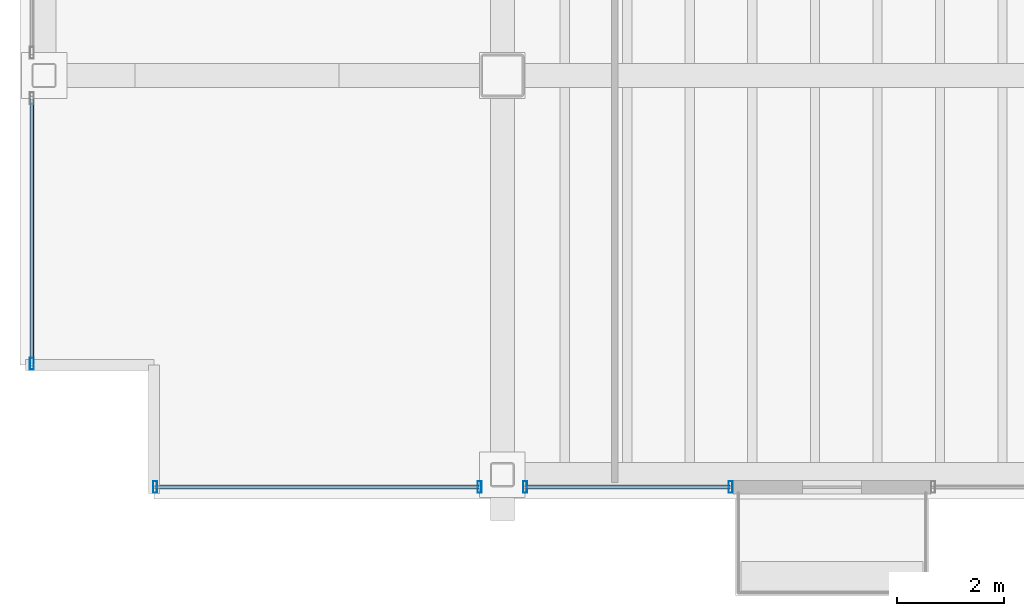
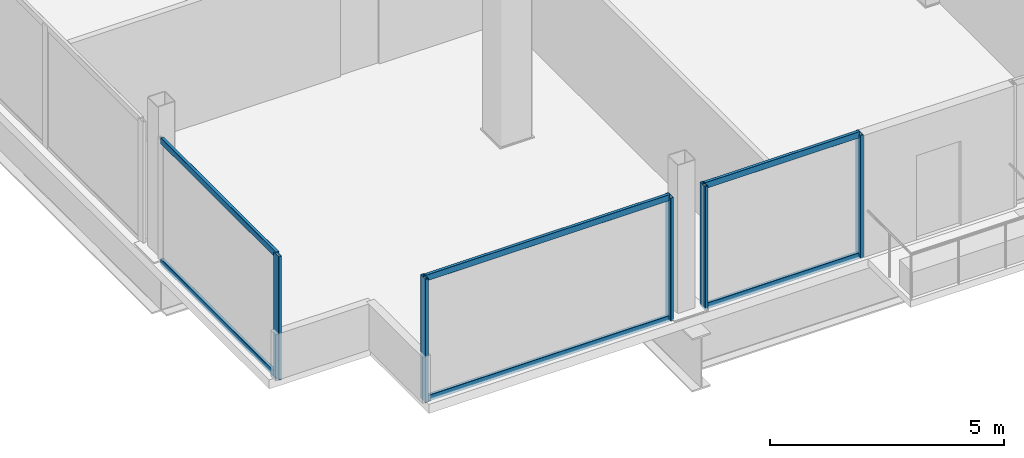
# One storey, part 2 of 22: 11 members, 3 elements without a shape of their own.
"""IFC4 building model written with IfcOpenShell, lengths in metres."""

import ifcopenshell
import ifcopenshell.guid

model = None  # the IFC model being written
_history = None  # IfcOwnerHistory: only IFC2X3 demands one
_inside = {}  # id of a spatial element -> (the spatial element, [elements in it])
_under = {}  # id of a project, library or spatial element -> (it, [spatial elements below it])
_declared = {}  # id of a project -> (the project, [libraries it declares])
_typed = {}  # id of a type object -> (the type object, [elements of that type])
_made_of = {}  # id of a material, layer set ... -> (it, [elements and type objects made of it])


def new_model(schema):
    """Start an empty IFC model of exactly this schema.

    Asked for "IFC4X3", IfcOpenShell would pick the latest addendum, in which some entities
    have other attributes; the version numbers below select the first issue.
    IFC2X3 requires an IfcOwnerHistory on every rooted entity: one is made here for all.
    """
    global model, _history
    if schema == "IFC4X3":
        model = ifcopenshell.file(schema_version=(4, 3, 0, 0))
    else:
        model = ifcopenshell.file(schema=schema)
    _inside.clear()
    _under.clear()
    _declared.clear()
    _typed.clear()
    _made_of.clear()
    _history = None
    if model.schema == "IFC2X3":
        org = make("IfcOrganization", Name="unknown")
        user = make(
            "IfcPersonAndOrganization",
            ThePerson=make("IfcPerson", FamilyName="unknown"),
            TheOrganization=org,
        )
        app = make(
            "IfcApplication",
            ApplicationDeveloper=org,
            Version="unknown",
            ApplicationFullName="unknown",
            ApplicationIdentifier="unknown",
        )
        _history = make(
            "IfcOwnerHistory",
            OwningUser=user,
            OwningApplication=app,
            ChangeAction="ADDED",
            CreationDate=0,
        )
    return model


def make(cls, **values):
    """One entity of the class cls with the attributes given. An attribute that is None is left unset."""
    return model.create_entity(
        cls, **{name: value for name, value in values.items() if value is not None}
    )


def rooted(cls, **values):
    """An entity with a GlobalId (a new one), such as an element, a storey or a relation."""
    return make(cls, GlobalId=ifcopenshell.guid.new(), OwnerHistory=_history, **values)


def si_unit(unit_type, name, prefix=None):
    """IfcSIUnit, for example si_unit("LENGTHUNIT", "METRE", prefix="MILLI")."""
    return make("IfcSIUnit", UnitType=unit_type, Prefix=prefix, Name=name)


def assignment(units):
    """IfcUnitAssignment: the units of a project."""
    return None if units is None else make("IfcUnitAssignment", Units=units)


def point(xyz):
    """IfcCartesianPoint."""
    return None if xyz is None else make("IfcCartesianPoint", Coordinates=xyz)


def direction(xyz):
    """IfcDirection."""
    return None if xyz is None else make("IfcDirection", DirectionRatios=xyz)


def frame(location, z_axis=None, x_axis=None):
    """IfcAxis2Placement3D, a coordinate frame: its origin and axes. An axis left out is left unset."""
    return make(
        "IfcAxis2Placement3D",
        Location=point(location),
        Axis=direction(z_axis),
        RefDirection=direction(x_axis),
    )


def frame_2d(location, x_axis=None):
    """IfcAxis2Placement2D, a coordinate frame in the plane: its origin and x axis."""
    return make(
        "IfcAxis2Placement2D", Location=point(location), RefDirection=direction(x_axis)
    )


def origin():
    """The frame at (0, 0, 0) with its axes left unset."""
    return frame((0.0, 0.0, 0.0))


def origin_2d():
    """The frame at (0, 0) in the plane with its x axis left unset."""
    return frame_2d((0.0, 0.0))


def place(relative_to, where):
    """IfcLocalPlacement: puts the frame where relative to a parent placement (None: the world)."""
    return make(
        "IfcLocalPlacement", PlacementRelTo=relative_to, RelativePlacement=where
    )


def context(
    kind, dimensions, precision=None, world=None, true_north=None, identifier=None
):
    """IfcGeometricRepresentationContext, for example the 3D "Model" context."""
    return make(
        "IfcGeometricRepresentationContext",
        ContextIdentifier=identifier,
        ContextType=kind,
        CoordinateSpaceDimension=dimensions,
        Precision=precision,
        WorldCoordinateSystem=world,
        TrueNorth=true_north,
    )


def subcontext(parent, identifier, kind, view, scale=None):
    """IfcGeometricRepresentationSubContext, for example "Body" below "Model"."""
    return make(
        "IfcGeometricRepresentationSubContext",
        ContextIdentifier=identifier,
        ContextType=kind,
        ParentContext=parent,
        TargetScale=scale,
        TargetView=view,
    )


def project(units=None, contexts=None):
    """IfcProject with its units and contexts."""
    return rooted(
        "IfcProject",
        Name="project",
        RepresentationContexts=contexts,
        UnitsInContext=assignment(units),
    )


def spatial(cls, under=None, at=None, **own):
    """A site, building, storey or space (cls), placed at a placement, below another one or the project."""
    s = rooted(cls, ObjectPlacement=at, **own)
    if under is not None:
        _under.setdefault(under.id(), (under, []))[1].append(s)
    return s


def profile(cls, at=None, kind="AREA", **sizes):
    """A parametric profile (cls). Its sizes go by their IFC names, for example OverallWidth=200.0."""
    return make(cls, ProfileType=kind, Position=at, **sizes)


def hollow_rectangle(**sizes):
    """IfcRectangleHollowProfileDef."""
    return profile("IfcRectangleHollowProfileDef", **sizes)


def extrude(swept, where, along, depth):
    """IfcExtrudedAreaSolid: the profile swept, set in the frame where, extruded along a direction by depth."""
    return make(
        "IfcExtrudedAreaSolid",
        SweptArea=swept,
        Position=where,
        ExtrudedDirection=direction(along),
        Depth=depth,
    )


def shape(context_of_items, identifier, shape_type, items):
    """IfcShapeRepresentation: the items that make up one representation, for example the "Body"."""
    return make(
        "IfcShapeRepresentation",
        ContextOfItems=context_of_items,
        RepresentationIdentifier=identifier,
        RepresentationType=shape_type,
        Items=items,
    )


def material(Name=None, Category=None):
    """IfcMaterial."""
    return make("IfcMaterial", Name=Name, Category=Category)


def material_profile(
    of_material, cross_section, Name=None, Category=None, Priority=None
):
    """IfcMaterialProfile: a cross section and its material."""
    return make(
        "IfcMaterialProfile",
        Name=Name,
        Material=of_material,
        Profile=cross_section,
        Priority=Priority,
        Category=Category,
    )


def profile_set(profiles, Name=None, composite=None):
    """IfcMaterialProfileSet."""
    return make(
        "IfcMaterialProfileSet",
        Name=Name,
        MaterialProfiles=profiles,
        CompositeProfile=composite,
    )


def made_of(thing, what):
    """Note that an element or type object is made of a material, layer set ...; save() writes the relation."""
    if what is not None:
        _made_of.setdefault(what.id(), (what, []))[1].append(thing)
    return thing


def type_object(cls, material=None, **own):
    """A type object (cls), such as IfcWallType, which elements share."""
    return made_of(rooted(cls, **own), material)


def element(
    cls,
    number,
    at=None,
    inside=None,
    cuts=None,
    type_object=None,
    material=None,
    context=None,
    identifier="Body",
    shape_type=None,
    held_by="IfcProductDefinitionShape",
    body=None,
    shapes=None,
    **own,
):
    """One element of the class cls, such as IfcWall. Its Tag is "e" and its number.

    at: its placement. inside: the storey or other place that contains it. cuts: it is an
    opening in that element (IfcRelVoidsElement). A single representation is given by context,
    identifier, shape_type and body (its items); several are given by shapes. held_by: the class
    of the entity that holds the representations. save() writes the other relations.
    """
    e = rooted(cls, Tag="e%d" % number, ObjectPlacement=at, **own)
    if body is not None:
        shapes = [shape(context, identifier, shape_type, body)]
    if shapes is not None:
        e.Representation = make(held_by, Representations=shapes)
    if inside is not None:
        _inside.setdefault(inside.id(), (inside, []))[1].append(e)
    if cuts is not None:
        rooted(
            "IfcRelVoidsElement", RelatingBuildingElement=cuts, RelatedOpeningElement=e
        )
    if type_object is not None:
        _typed.setdefault(type_object.id(), (type_object, []))[1].append(e)
    return made_of(e, material)


def aggregate(whole, parts):
    """IfcRelAggregates: a whole, such as a stair, and the parts it consists of."""
    return rooted("IfcRelAggregates", RelatingObject=whole, RelatedObjects=parts)


def save(model, path):
    """Write the relations noted so far, then the file.

    IfcRelAggregates (storeys below a building ...), IfcRelContainedInSpatialStructure (elements
    in a storey), IfcRelDefinesByType, IfcRelAssociatesMaterial and IfcRelDeclares: one each for
    every whole, place, type object, material and project.
    """
    for whole, parts in _under.values():
        aggregate(whole, parts)
    for where, things in _inside.values():
        rooted(
            "IfcRelContainedInSpatialStructure",
            RelatedElements=things,
            RelatingStructure=where,
        )
    for kind, things in _typed.values():
        rooted("IfcRelDefinesByType", RelatedObjects=things, RelatingType=kind)
    for what, things in _made_of.values():
        rooted("IfcRelAssociatesMaterial", RelatedObjects=things, RelatingMaterial=what)
    for by, libraries in _declared.values():
        rooted("IfcRelDeclares", RelatingContext=by, RelatedDefinitions=libraries)
    model.write(path)


model = new_model("IFC4")

# Units and contexts
model_context = context("Model", 3, precision=1e-05, world=origin(), true_north=direction((0.0, 1.0)))
body_context = subcontext(model_context, "Body", "Model", "MODEL_VIEW")
ifc_project = project(units=[si_unit("LENGTHUNIT", "METRE"), si_unit("AREAUNIT", "SQUARE_METRE"), si_unit("VOLUMEUNIT", "CUBIC_METRE"), si_unit("PLANEANGLEUNIT", "RADIAN"), si_unit("MASSUNIT", "GRAM", prefix="KILO")], contexts=[model_context])

# Site, building, storey
site_placement = place(None, origin())
site = spatial("IfcSite", under=ifc_project, at=site_placement, CompositionType="ELEMENT")
building_placement = place(site_placement, origin())
building = spatial("IfcBuilding", under=site, at=building_placement, Name="Noeulbin Bourse Tower", CompositionType="ELEMENT")
storey_placement = place(building_placement, frame((0.0, 0.0, 230.60009765625)))
storey = spatial("IfcBuildingStorey", under=building, at=storey_placement, Name="L57", CompositionType="ELEMENT", Elevation=230.60009765625)

# Curtain wall, members
ifc_material_1 = material(Name="High-Selectivity Low-Iron Glazing", Category="glass")
curtain_wall_type = type_object("IfcCurtainWallType", Name="CW-SYS-4", PredefinedType="NOTDEFINED", material=ifc_material_1)
curtain_wall_1_placement = place(storey_placement, origin())
curtain_wall_1 = element("IfcCurtainWall", 1, at=curtain_wall_1_placement, inside=storey, type_object=curtain_wall_type, Name="Unitised Curtain Wall CW-L57-S1-S1", PredefinedType="NOTDEFINED")
ifc_material_2 = material(Name="Anodised Aluminium 6063-T6", Category="aluminium")
ifc_material_profile_1 = material_profile(ifc_material_2, hollow_rectangle(XDim=0.074951171875, YDim=0.219970703125, WallThickness=0.0048828125, InnerFilletRadius=0.00244140625, OuterFilletRadius=0.0048828125, at=origin_2d()), Name="ALU-MULL-75x220x5", Category="LoadBearing")
ifc_profile_set_1 = profile_set([ifc_material_profile_1], Name="Anodised Aluminium 6063-T6")
member_type_1 = type_object("IfcMemberType", Name="CW-SYS-4-MUL", PredefinedType="MULLION", material=ifc_profile_set_1)
member_1_placement = place(storey_placement, frame((7.02001953125, 12.320068359375, -0.02001953125), z_axis=(0.0, 0.0, 1.0), x_axis=(1.0, 0.0, 0.0)))
member_1 = element("IfcMember", 2, at=member_1_placement, type_object=member_type_1, Name="Curtain Wall Mullion CW-L57-S1-S1-M00", PredefinedType="MULLION", context=body_context, shape_type="SweptSolid", body=[
    extrude(hollow_rectangle(XDim=0.074951171875, YDim=0.219970703125, WallThickness=0.0048828125, InnerFilletRadius=0.00244140625, OuterFilletRadius=0.0048828125, at=origin_2d()), origin(), (0.0, 0.0, 1.0), 3.219970703125),
])
member_2_placement = place(storey_placement, frame((13.074951171875, 12.320068359375, -0.02001953125), z_axis=(0.0, 0.0, 1.0), x_axis=(1.0, 0.0, 0.0)))
member_2 = element("IfcMember", 3, at=member_2_placement, type_object=member_type_1, Name="Curtain Wall Mullion CW-L57-S1-S1-M01", PredefinedType="MULLION", context=body_context, shape_type="SweptSolid", body=[
    extrude(hollow_rectangle(XDim=0.074951171875, YDim=0.219970703125, WallThickness=0.0048828125, InnerFilletRadius=0.00244140625, OuterFilletRadius=0.0048828125, at=origin_2d()), origin(), (0.0, 0.0, 1.0), 3.219970703125),
])

curtain_wall_2_placement = place(storey_placement, origin())
curtain_wall_2 = element("IfcCurtainWall", 4, at=curtain_wall_2_placement, inside=storey, type_object=curtain_wall_type, Name="Unitised Curtain Wall CW-L57-S1-S2", PredefinedType="NOTDEFINED")
member_3_placement = place(storey_placement, frame((13.925048828125, 12.320068359375, -0.02001953125), z_axis=(0.0, 0.0, 1.0), x_axis=(1.0, 0.0, 0.0)))
member_3 = element("IfcMember", 5, at=member_3_placement, type_object=member_type_1, Name="Curtain Wall Mullion CW-L57-S1-S2-M00", PredefinedType="MULLION", context=body_context, shape_type="SweptSolid", body=[
    extrude(hollow_rectangle(XDim=0.074951171875, YDim=0.219970703125, WallThickness=0.0048828125, InnerFilletRadius=0.00244140625, OuterFilletRadius=0.0048828125, at=origin_2d()), origin(), (0.0, 0.0, 1.0), 3.219970703125),
])
member_4_placement = place(storey_placement, frame((17.760009765625, 12.320068359375, -0.02001953125), z_axis=(0.0, 0.0, 1.0), x_axis=(1.0, 0.0, 0.0)))
member_4 = element("IfcMember", 6, at=member_4_placement, type_object=member_type_1, Name="Curtain Wall Mullion CW-L57-S1-S2-M01", PredefinedType="MULLION", context=body_context, shape_type="SweptSolid", body=[
    extrude(hollow_rectangle(XDim=0.074951171875, YDim=0.219970703125, WallThickness=0.0048828125, InnerFilletRadius=0.00244140625, OuterFilletRadius=0.0048828125, at=origin_2d()), origin(), (0.0, 0.0, 1.0), 3.219970703125),
])

# Curtain wall, member
curtain_wall_3_placement = place(storey_placement, origin())
curtain_wall_3 = element("IfcCurtainWall", 7, at=curtain_wall_3_placement, inside=storey, type_object=curtain_wall_type, Name="Unitised Curtain Wall CW-L57-W-S1", PredefinedType="NOTDEFINED")
member_5_placement = place(storey_placement, frame((4.719970703125, 14.6201171875, -0.02001953125), z_axis=(0.0, 0.0, 1.0), x_axis=(1.0, 0.0, 0.0)))
member_5 = element("IfcMember", 8, at=member_5_placement, type_object=member_type_1, Name="Curtain Wall Mullion CW-L57-W-S1-M00", PredefinedType="MULLION", context=body_context, shape_type="SweptSolid", body=[
    extrude(hollow_rectangle(XDim=0.074951171875, YDim=0.219970703125, WallThickness=0.0048828125, InnerFilletRadius=0.00244140625, OuterFilletRadius=0.0048828125, at=origin_2d()), origin(), (0.0, 0.0, 1.0), 3.219970703125),
])

# Member
ifc_material_profile_2 = material_profile(ifc_material_2, hollow_rectangle(XDim=0.074951171875, YDim=0.159912109375, WallThickness=0.0048828125, InnerFilletRadius=0.00244140625, OuterFilletRadius=0.0048828125, at=origin_2d()), Name="ALU-TRAN-75x160x5", Category="LoadBearing")
ifc_profile_set_2 = profile_set([ifc_material_profile_2], Name="Anodised Aluminium 6063-T6")
member_type_2 = type_object("IfcMemberType", Name="CW-SYS-4-TRN", PredefinedType="USERDEFINED", material=ifc_profile_set_2)
member_6_placement = place(storey_placement, frame((7.030029296875, 12.320068359375, 0.010009765625), z_axis=(1.0, 0.0, 0.0), x_axis=(0.0, 1.0, 0.0)))
member_6 = element("IfcMember", 9, at=member_6_placement, type_object=member_type_2, Name="Curtain Wall Transom CW-L57-S1-S1-T00", ObjectType="TRANSOM", PredefinedType="USERDEFINED", context=body_context, shape_type="SweptSolid", body=[
    extrude(hollow_rectangle(XDim=0.074951171875, YDim=0.159912109375, WallThickness=0.0048828125, InnerFilletRadius=0.00244140625, OuterFilletRadius=0.0048828125, at=origin_2d()), origin(), (0.0, 0.0, 1.0), 6.034912109375),
])

member_7_placement = place(storey_placement, frame((7.030029296875, 12.320068359375, 3.169921875), z_axis=(1.0, 0.0, 0.0), x_axis=(0.0, 1.0, 0.0)))
member_7 = element("IfcMember", 10, at=member_7_placement, type_object=member_type_2, Name="Curtain Wall Transom CW-L57-S1-S1-T01", ObjectType="TRANSOM", PredefinedType="USERDEFINED", context=body_context, shape_type="SweptSolid", body=[
    extrude(hollow_rectangle(XDim=0.074951171875, YDim=0.159912109375, WallThickness=0.0048828125, InnerFilletRadius=0.00244140625, OuterFilletRadius=0.0048828125, at=origin_2d()), origin(), (0.0, 0.0, 1.0), 6.034912109375),
])

aggregate(curtain_wall_1, [member_1, member_2, member_6, member_7])

member_8_placement = place(storey_placement, frame((13.93505859375, 12.320068359375, 0.010009765625), z_axis=(1.0, 0.0, 0.0), x_axis=(0.0, 1.0, 0.0)))
member_8 = element("IfcMember", 11, at=member_8_placement, type_object=member_type_2, Name="Curtain Wall Transom CW-L57-S1-S2-T00", ObjectType="TRANSOM", PredefinedType="USERDEFINED", context=body_context, shape_type="SweptSolid", body=[
    extrude(hollow_rectangle(XDim=0.074951171875, YDim=0.159912109375, WallThickness=0.0048828125, InnerFilletRadius=0.00244140625, OuterFilletRadius=0.0048828125, at=origin_2d()), origin(), (0.0, 0.0, 1.0), 3.81494140625),
])

member_9_placement = place(storey_placement, frame((13.93505859375, 12.320068359375, 3.169921875), z_axis=(1.0, 0.0, 0.0), x_axis=(0.0, 1.0, 0.0)))
member_9 = element("IfcMember", 12, at=member_9_placement, type_object=member_type_2, Name="Curtain Wall Transom CW-L57-S1-S2-T01", ObjectType="TRANSOM", PredefinedType="USERDEFINED", context=body_context, shape_type="SweptSolid", body=[
    extrude(hollow_rectangle(XDim=0.074951171875, YDim=0.159912109375, WallThickness=0.0048828125, InnerFilletRadius=0.00244140625, OuterFilletRadius=0.0048828125, at=origin_2d()), origin(), (0.0, 0.0, 1.0), 3.81494140625),
])

aggregate(curtain_wall_2, [member_3, member_4, member_8, member_9])

member_10_placement = place(storey_placement, frame((4.719970703125, 14.6298828125, 0.010009765625), z_axis=(0.0, 1.0, 0.0), x_axis=(-1.0, 0.0, 0.0)))
member_10 = element("IfcMember", 13, at=member_10_placement, type_object=member_type_2, Name="Curtain Wall Transom CW-L57-W-S1-T00", ObjectType="TRANSOM", PredefinedType="USERDEFINED", context=body_context, shape_type="SweptSolid", body=[
    extrude(hollow_rectangle(XDim=0.074951171875, YDim=0.159912109375, WallThickness=0.0048828125, InnerFilletRadius=0.00244140625, OuterFilletRadius=0.0048828125, at=origin_2d()), origin(), (0.0, 0.0, 1.0), 4.93505859375),
])

member_11_placement = place(storey_placement, frame((4.719970703125, 14.6298828125, 3.169921875), z_axis=(0.0, 1.0, 0.0), x_axis=(-1.0, 0.0, 0.0)))
member_11 = element("IfcMember", 14, at=member_11_placement, type_object=member_type_2, Name="Curtain Wall Transom CW-L57-W-S1-T01", ObjectType="TRANSOM", PredefinedType="USERDEFINED", context=body_context, shape_type="SweptSolid", body=[
    extrude(hollow_rectangle(XDim=0.074951171875, YDim=0.159912109375, WallThickness=0.0048828125, InnerFilletRadius=0.00244140625, OuterFilletRadius=0.0048828125, at=origin_2d()), origin(), (0.0, 0.0, 1.0), 4.93505859375),
])

aggregate(curtain_wall_3, [member_5, member_10, member_11])

save(model, "model.ifc")
